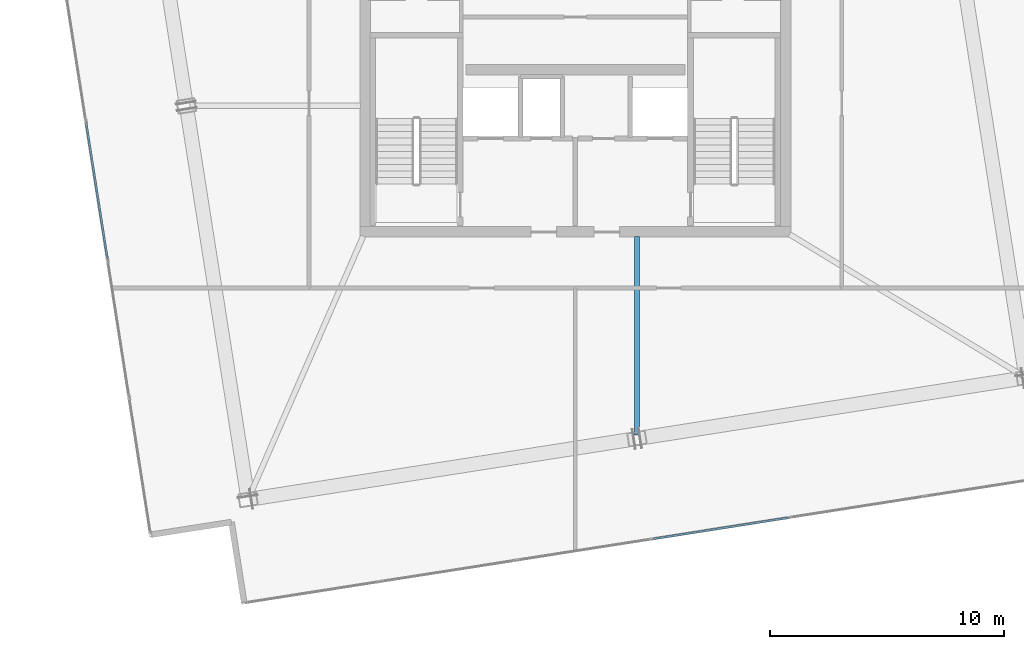
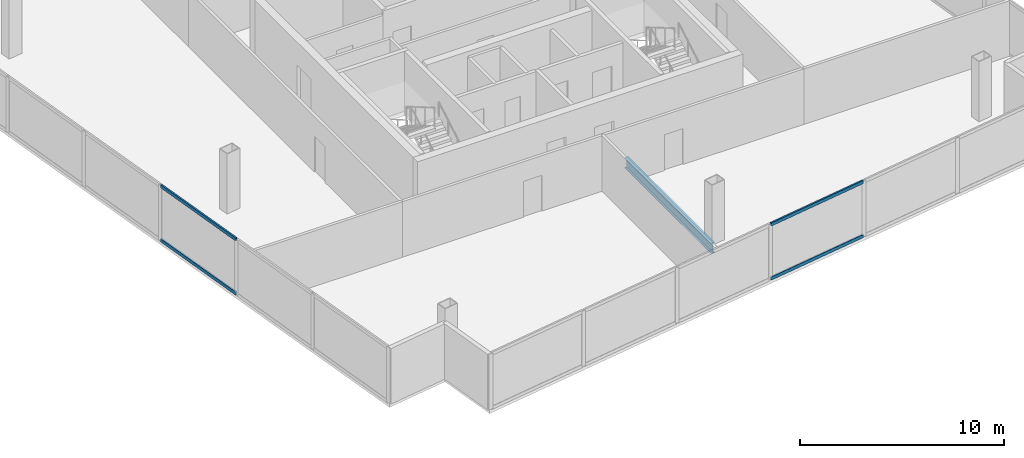
# One storey, part 4 of 17: 4 members, 1 beam, 2 elements without a shape of their own.
"""IFC4 building model written with IfcOpenShell, lengths in metres."""

from ifc_helpers import new_model, si_unit, direction, frame, origin, origin_2d, place, context, subcontext, project, spatial, hollow_rectangle, i_section, extrude, material, material_profile, profile_set, type_object, element, aggregate, save


model = new_model("IFC4")

# Units and contexts
model_context = context("Model", 3, precision=1e-05, world=origin(), true_north=direction((0.0, 1.0)))
body_context = subcontext(model_context, "Body", "Model", "MODEL_VIEW")
ifc_project = project(units=[si_unit("LENGTHUNIT", "METRE"), si_unit("AREAUNIT", "SQUARE_METRE"), si_unit("VOLUMEUNIT", "CUBIC_METRE"), si_unit("PLANEANGLEUNIT", "RADIAN"), si_unit("MASSUNIT", "GRAM", prefix="KILO")], contexts=[model_context])

# Site, building, storey
site_placement = place(None, origin())
site = spatial("IfcSite", under=ifc_project, at=site_placement, CompositionType="ELEMENT")
building_placement = place(site_placement, origin())
building = spatial("IfcBuilding", under=site, at=building_placement, Name="Haldenkirk Collegiate Tower", CompositionType="ELEMENT")
storey_placement = place(building_placement, frame((0.0, 0.0, 367.800048828125)))
storey = spatial("IfcBuildingStorey", under=building, at=storey_placement, Name="L93", CompositionType="ELEMENT", Elevation=367.800048828125)

# Beam
ifc_material_1 = material(Name="Steel ASTM A992 Grade 50", Category="steel")
ifc_material_profile_1 = material_profile(ifc_material_1, i_section(OverallWidth=0.22998046875, OverallDepth=0.616943359375, WebThickness=0.01318359375, FlangeThickness=0.022216796875, at=origin_2d()), Name="W24X94")
ifc_profile_set_1 = profile_set([ifc_material_profile_1], Name="Steel ASTM A992 Grade 50")
beam_type = type_object("IfcBeamType", Name="BM-GIRDER-W24X94", PredefinedType="BEAM", material=ifc_profile_set_1)
beam_placement = place(storey_placement, frame((38.6376953125, 9.305419921875, -0.57861328125), z_axis=(0.0, 1.0, 0.0), x_axis=(-1.0, 0.0, 0.0)))
element("IfcBeam", 1, at=beam_placement, inside=storey, type_object=beam_type, Name="L93 crown radial floor beam 8", PredefinedType="BEAM", context=body_context, shape_type="SweptSolid", body=[
    extrude(i_section(OverallWidth=0.22998046875, OverallDepth=0.616943359375, WebThickness=0.01318359375, FlangeThickness=0.022216796875, at=origin_2d()), origin(), (0.0, 0.0, 1.0), 8.49462890625),
])

# Curtain wall, members
ifc_material_2 = material(Name="Anodised architectural bronze aluminium", Category="aluminium")
curtain_wall_type = type_object("IfcCurtainWallType", Name="CW-SYS6-CROWN", PredefinedType="USERDEFINED", material=ifc_material_2)
curtain_wall_1_placement = place(storey_placement, origin())
curtain_wall_1 = element("IfcCurtainWall", 2, at=curtain_wall_1_placement, inside=storey, type_object=curtain_wall_type, Name="L93 Closed crown ring ceramic-fritted bronze screen curtain wall", ObjectType="UNITISED CURTAIN WALL", PredefinedType="USERDEFINED")
ifc_material_profile_2 = material_profile(ifc_material_2, hollow_rectangle(XDim=0.090087890625, YDim=0.18994140625, WallThickness=0.0048828125, at=origin_2d()), Name="CW-TRN-06")
ifc_profile_set_2 = profile_set([ifc_material_profile_2], Name="Anodised architectural bronze aluminium")
member_type = type_object("IfcMemberType", Name="CW-TRN-06", PredefinedType="USERDEFINED", material=ifc_profile_set_2)
member_1_placement = place(storey_placement, frame((15.971435546875, 16.869873046875, 0.044921875), z_axis=(-0.154710174658, 0.987959898912, 0.0), x_axis=(-0.987959898912, -0.154710174658, 0.0)))
member_1 = element("IfcMember", 3, at=member_1_placement, type_object=member_type, Name="CW-06 transom 3.1", ObjectType="TRANSOM", PredefinedType="USERDEFINED", context=body_context, shape_type="SweptSolid", body=[
    extrude(hollow_rectangle(XDim=0.090087890625, YDim=0.18994140625, WallThickness=0.0048828125, at=origin_2d()), origin(), (0.0, 0.0, 1.0), 5.876708984375),
])
member_2_placement = place(storey_placement, frame((15.971435546875, 16.869873046875, 3.284912109375), z_axis=(-0.154710174658, 0.987959898912, 0.0), x_axis=(-0.987959898912, -0.154710174658, 0.0)))
member_2 = element("IfcMember", 4, at=member_2_placement, type_object=member_type, Name="CW-06 transom 3.2", ObjectType="TRANSOM", PredefinedType="USERDEFINED", context=body_context, shape_type="SweptSolid", body=[
    extrude(hollow_rectangle(XDim=0.090087890625, YDim=0.18994140625, WallThickness=0.0048828125, at=origin_2d()), origin(), (0.0, 0.0, 1.0), 5.876708984375),
])
aggregate(curtain_wall_1, [member_1, member_2])

curtain_wall_2_placement = place(storey_placement, origin())
curtain_wall_2 = element("IfcCurtainWall", 5, at=curtain_wall_2_placement, inside=storey, type_object=curtain_wall_type, Name="L93 Closed crown ring ceramic-fritted bronze screen curtain wall", ObjectType="UNITISED CURTAIN WALL", PredefinedType="USERDEFINED")
member_3_placement = place(storey_placement, frame((45.09521484375, 5.763427734375, 0.044921875), z_axis=(-0.987958095237, -0.154721692257, 0.0), x_axis=(0.154721692257, -0.987958095237, 0.0)))
member_3 = element("IfcMember", 6, at=member_3_placement, type_object=member_type, Name="CW-06 transom 3.1", ObjectType="TRANSOM", PredefinedType="USERDEFINED", context=body_context, shape_type="SweptSolid", body=[
    extrude(hollow_rectangle(XDim=0.090087890625, YDim=0.18994140625, WallThickness=0.0048828125, at=origin_2d()), origin(), (0.0, 0.0, 1.0), 5.81005859375),
])
member_4_placement = place(storey_placement, frame((45.09521484375, 5.763427734375, 3.284912109375), z_axis=(-0.987958095237, -0.154721692257, 0.0), x_axis=(0.154721692257, -0.987958095237, 0.0)))
member_4 = element("IfcMember", 7, at=member_4_placement, type_object=member_type, Name="CW-06 transom 3.2", ObjectType="TRANSOM", PredefinedType="USERDEFINED", context=body_context, shape_type="SweptSolid", body=[
    extrude(hollow_rectangle(XDim=0.090087890625, YDim=0.18994140625, WallThickness=0.0048828125, at=origin_2d()), origin(), (0.0, 0.0, 1.0), 5.81005859375),
])
aggregate(curtain_wall_2, [member_3, member_4])

save(model, "model.ifc")
